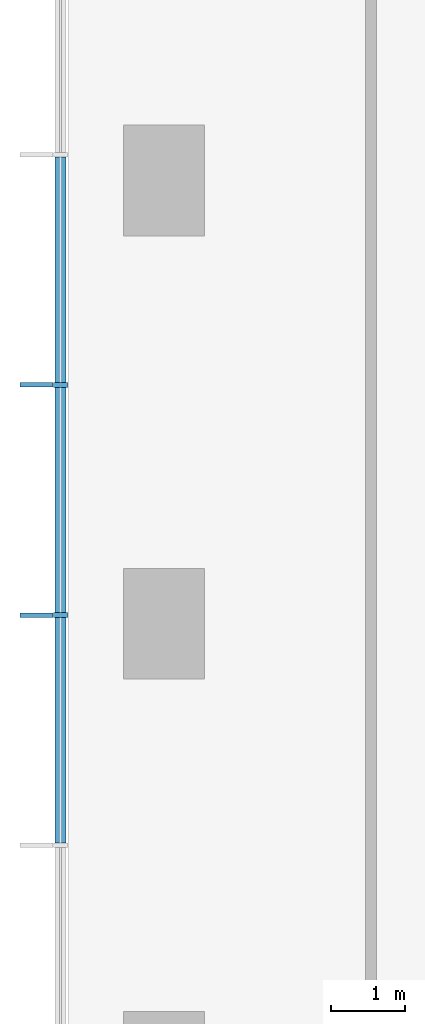
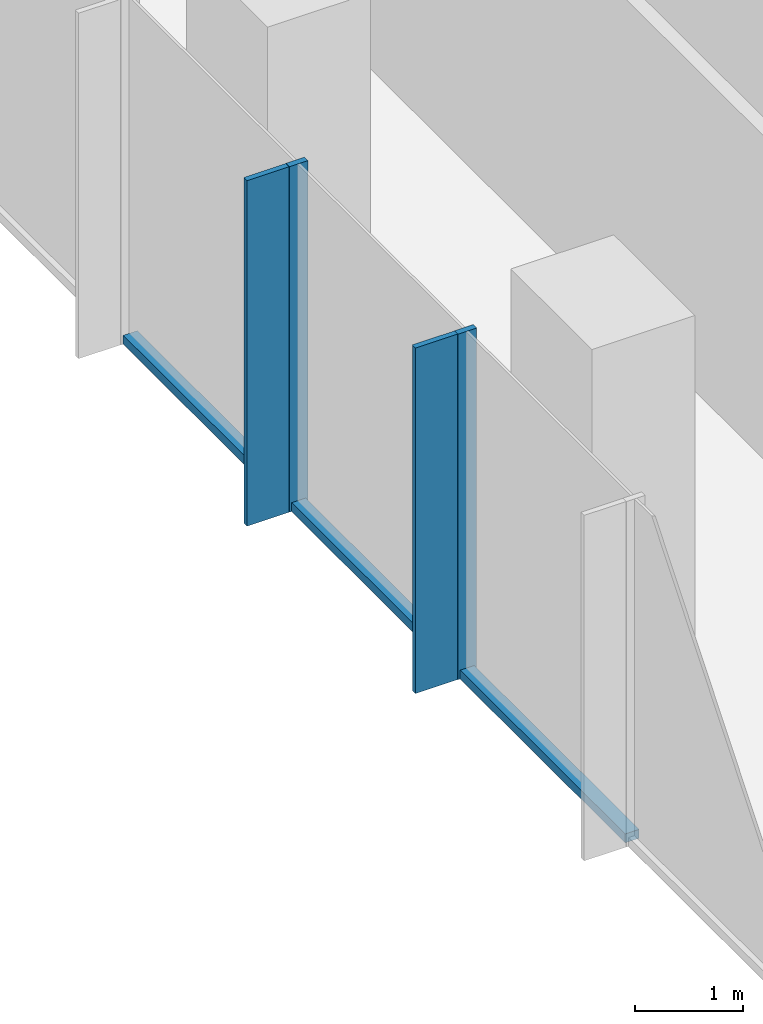
# One storey, part 3 of 11: 7 members, 1 element without a shape of its own.
"""IFC4 building model written with IfcOpenShell, lengths in metres."""

from ifc_helpers import new_model, si_unit, direction, frame, origin, origin_2d, place, context, subcontext, project, spatial, rectangle, extrude, material, layer, layer_set, material_profile, profile_set, type_object, element, aggregate, save


model = new_model("IFC4")

# Units and contexts
model_context = context("Model", 3, precision=1e-05, world=origin(), true_north=direction((0.0, 1.0)))
body_context = subcontext(model_context, "Body", "Model", "MODEL_VIEW")
ifc_project = project(units=[si_unit("LENGTHUNIT", "METRE"), si_unit("AREAUNIT", "SQUARE_METRE"), si_unit("VOLUMEUNIT", "CUBIC_METRE"), si_unit("PLANEANGLEUNIT", "RADIAN"), si_unit("MASSUNIT", "GRAM", prefix="KILO")], contexts=[model_context])

# Site, building, storey
site_placement = place(None, origin())
site = spatial("IfcSite", under=ifc_project, at=site_placement, CompositionType="ELEMENT")
building_placement = place(site_placement, origin())
building = spatial("IfcBuilding", under=site, at=building_placement, Name="Highveld Stack Headquarters", CompositionType="ELEMENT")
storey_placement = place(building_placement, frame((0.0, 0.0, 173.300048828125)))
storey = spatial("IfcBuildingStorey", under=building, at=storey_placement, Name="L42", CompositionType="ELEMENT", Elevation=173.300048828125)

# Curtain wall, members
ifc_material_1 = material(Name="Aluminium bronze anodised", Category="aluminium")
ifc_layer = layer(ifc_material_1, 0.199951171875)
ifc_layer_set = layer_set([ifc_layer], Name="Aluminium bronze anodised")
curtain_wall_type = type_object("IfcCurtainWallType", Name="CW1 TOWER UNITISED CURTAIN WALL", PredefinedType="NOTDEFINED", material=ifc_layer_set)
curtain_wall_placement = place(storey_placement, origin())
curtain_wall = element("IfcCurtainWall", 1, at=curtain_wall_placement, inside=storey, type_object=curtain_wall_type, Name="Curtain wall CW1 L42 W", PredefinedType="NOTDEFINED")
ifc_material_2 = material(Name="Aluminium bronze anodised", Category="aluminium")
ifc_material_profile_1 = material_profile(ifc_material_2, rectangle(XDim=0.449951171875, YDim=0.06005859375, at=origin_2d()), Name="FIN 450x60")
ifc_profile_set_1 = profile_set([ifc_material_profile_1], Name="Aluminium bronze anodised")
member_type_1 = type_object("IfcMemberType", Name="CW1 BRONZE FIN 450x60", PredefinedType="USERDEFINED", material=ifc_profile_set_1)
member_1_placement = place(storey_placement, frame((-13.72509765625, 15.23193359375, 0.0), z_axis=(0.0, 0.0, 1.0), x_axis=(1.0, 0.0, 0.0)))
member_1 = element("IfcMember", 2, at=member_1_placement, type_object=member_type_1, Name="CW1 fin L42 4", ObjectType="FIN", PredefinedType="USERDEFINED", context=body_context, shape_type="SweptSolid", body=[
    extrude(rectangle(XDim=0.449951171875, YDim=0.06005859375, at=origin_2d()), origin(), (0.0, 0.0, 1.0), 3.89990234375),
])
member_2_placement = place(storey_placement, frame((-13.72509765625, 12.115966796875, 0.0), z_axis=(0.0, 0.0, 1.0), x_axis=(1.0, 0.0, 0.0)))
member_2 = element("IfcMember", 3, at=member_2_placement, type_object=member_type_1, Name="CW1 fin L42 5", ObjectType="FIN", PredefinedType="USERDEFINED", context=body_context, shape_type="SweptSolid", body=[
    extrude(rectangle(XDim=0.449951171875, YDim=0.06005859375, at=origin_2d()), origin(), (0.0, 0.0, 1.0), 3.89990234375),
])
ifc_material_3 = material(Name="Aluminium bronze anodised", Category="aluminium")
ifc_material_profile_2 = material_profile(ifc_material_3, rectangle(XDim=0.199951171875, YDim=0.06494140625, at=origin_2d()), Name="CW1 MULLION 65x200")
ifc_profile_set_2 = profile_set([ifc_material_profile_2], Name="Aluminium bronze anodised")
member_type_2 = type_object("IfcMemberType", Name="CW1 MULLION 65x200", PredefinedType="MULLION", material=ifc_profile_set_2)
member_3_placement = place(storey_placement, frame((-13.39990234375, 15.23193359375, 0.0), z_axis=(0.0, 0.0, 1.0), x_axis=(1.0, 0.0, 0.0)))
member_3 = element("IfcMember", 4, at=member_3_placement, type_object=member_type_2, Name="CW1 mullion L42 4", PredefinedType="MULLION", context=body_context, shape_type="SweptSolid", body=[
    extrude(rectangle(XDim=0.199951171875, YDim=0.06494140625, at=origin_2d()), origin(), (0.0, 0.0, 1.0), 3.89990234375),
])
member_4_placement = place(storey_placement, frame((-13.39990234375, 12.115966796875, 0.0), z_axis=(0.0, 0.0, 1.0), x_axis=(1.0, 0.0, 0.0)))
member_4 = element("IfcMember", 5, at=member_4_placement, type_object=member_type_2, Name="CW1 mullion L42 5", PredefinedType="MULLION", context=body_context, shape_type="SweptSolid", body=[
    extrude(rectangle(XDim=0.199951171875, YDim=0.06494140625, at=origin_2d()), origin(), (0.0, 0.0, 1.0), 3.89990234375),
])
ifc_material_4 = material(Name="Aluminium bronze anodised", Category="aluminium")
ifc_material_profile_3 = material_profile(ifc_material_4, rectangle(XDim=0.14990234375, YDim=0.10009765625, at=origin_2d()), Name="CW1 TRANSOM 150x100")
ifc_profile_set_3 = profile_set([ifc_material_profile_3], Name="Aluminium bronze anodised")
member_type_3 = type_object("IfcMemberType", Name="CW1 STACK TRANSOM 150x100", PredefinedType="USERDEFINED", material=ifc_profile_set_3)
member_5_placement = place(storey_placement, frame((-13.39990234375, 18.3154296875, 0.050048828125), z_axis=(0.0, -1.0, 0.0), x_axis=(1.0, 0.0, 0.0)))
member_5 = element("IfcMember", 6, at=member_5_placement, type_object=member_type_3, Name="CW1 transom L42 3.1", ObjectType="TRANSOM", PredefinedType="USERDEFINED", context=body_context, shape_type="SweptSolid", body=[
    extrude(rectangle(XDim=0.14990234375, YDim=0.10009765625, at=origin_2d()), origin(), (0.0, 0.0, 1.0), 3.051025390625),
])
member_6_placement = place(storey_placement, frame((-13.39990234375, 15.199462890625, 0.050048828125), z_axis=(0.0, -1.0, 0.0), x_axis=(1.0, 0.0, 0.0)))
member_6 = element("IfcMember", 7, at=member_6_placement, type_object=member_type_3, Name="CW1 transom L42 4.1", ObjectType="TRANSOM", PredefinedType="USERDEFINED", context=body_context, shape_type="SweptSolid", body=[
    extrude(rectangle(XDim=0.14990234375, YDim=0.10009765625, at=origin_2d()), origin(), (0.0, 0.0, 1.0), 3.051025390625),
])
member_7_placement = place(storey_placement, frame((-13.39990234375, 12.08349609375, 0.050048828125), z_axis=(0.0, -1.0, 0.0), x_axis=(1.0, 0.0, 0.0)))
member_7 = element("IfcMember", 8, at=member_7_placement, type_object=member_type_3, Name="CW1 transom L42 5.1", ObjectType="TRANSOM", PredefinedType="USERDEFINED", context=body_context, shape_type="SweptSolid", body=[
    extrude(rectangle(XDim=0.14990234375, YDim=0.10009765625, at=origin_2d()), origin(), (0.0, 0.0, 1.0), 3.051025390625),
])
aggregate(curtain_wall, [member_3, member_1, member_4, member_2, member_5, member_6, member_7])

save(model, "model.ifc")
